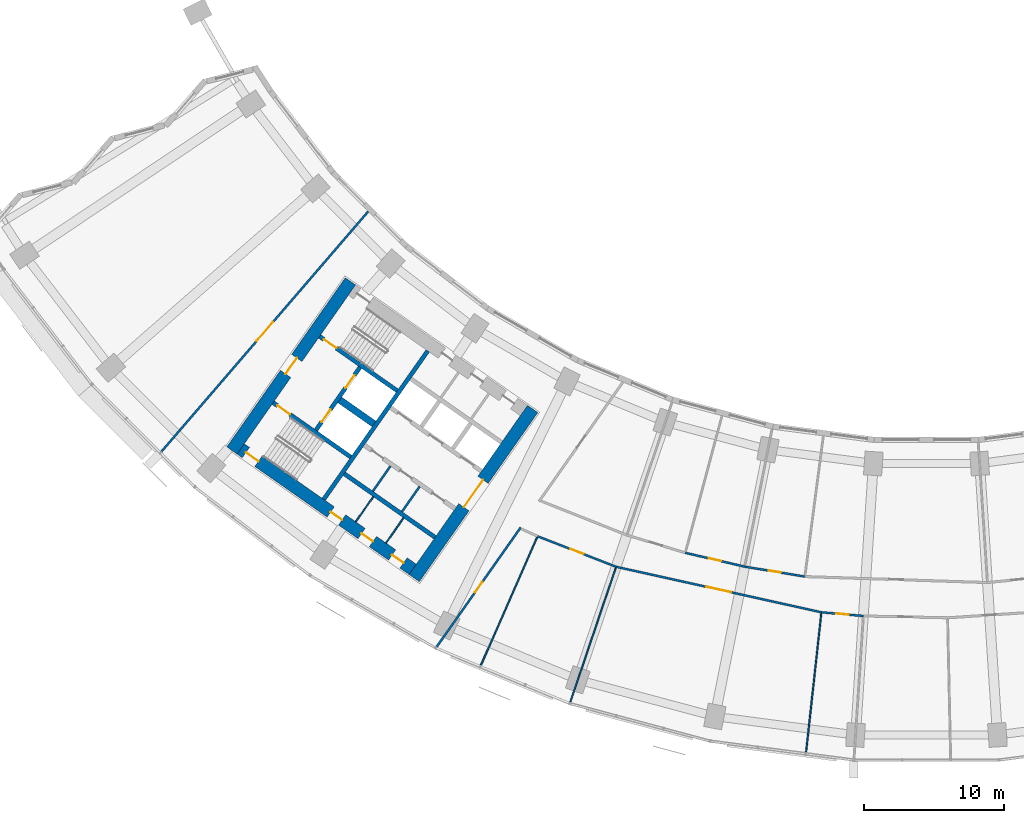
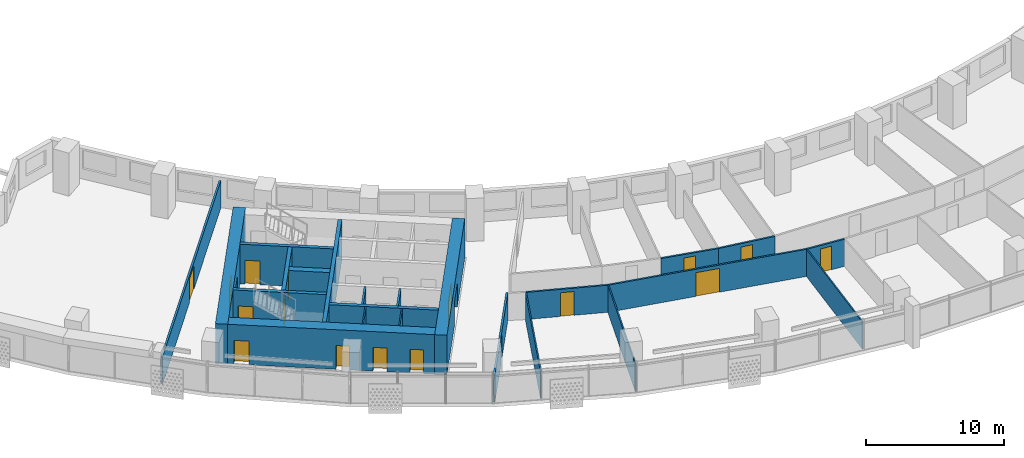
# One storey, part 3 of 30: 23 walls, 17 doors, 17 openings.
"""IFC4 building model written with IfcOpenShell, lengths in metres."""

from ifc_helpers import new_model, si_unit, direction, frame, frame_2d, origin, place, context, subcontext, project, spatial, rectangle, extrude, material, layer, layer_set, type_object, element, fill, save


model = new_model("IFC4")

# Units and contexts
model_context = context("Model", 3, precision=1e-05, world=origin(), true_north=direction((0.0, 1.0)))
body_context = subcontext(model_context, "Body", "Model", "MODEL_VIEW")
ifc_project = project(units=[si_unit("LENGTHUNIT", "METRE"), si_unit("AREAUNIT", "SQUARE_METRE"), si_unit("VOLUMEUNIT", "CUBIC_METRE"), si_unit("PLANEANGLEUNIT", "RADIAN"), si_unit("MASSUNIT", "GRAM", prefix="KILO")], contexts=[model_context])

# Site, building, storey
site_placement = place(None, origin())
site = spatial("IfcSite", under=ifc_project, at=site_placement, CompositionType="ELEMENT")
building_placement = place(site_placement, origin())
building = spatial("IfcBuilding", under=site, at=building_placement, Name="Qamariyya Broadcast Tower", CompositionType="ELEMENT")
storey_placement = place(building_placement, frame((0.0, 0.0, 67.10009765625)))
storey = spatial("IfcBuildingStorey", under=building, at=storey_placement, Name="L13", CompositionType="ELEMENT", Elevation=67.10009765625)

# Wall, opening, door
ifc_material_1 = material(Name="Concrete C70/85", Category="concrete")
ifc_layer_1 = layer(ifc_material_1, 0.89990234375)
ifc_layer_set_1 = layer_set([ifc_layer_1], Name="Core wall 900 mm Concrete C70/85")
wall_type_1 = type_object("IfcWallType", Name="Core wall 900 mm Concrete C70/85", PredefinedType="SHEAR", material=ifc_layer_set_1)
wall_1_placement = place(storey_placement, frame((-36.716796875, -66.3369140625, 0.0), z_axis=(0.0, 0.0, 1.0), x_axis=(0.573577477574, 0.819151315216, 0.0)))
wall_1 = element("IfcWall", 1, at=wall_1_placement, inside=storey, type_object=wall_type_1, Name="k-W-L13-WA", PredefinedType="SHEAR", context=body_context, shape_type="SweptSolid", body=[
    extrude(rectangle(XDim=14.800048828125, YDim=0.89990234375, at=frame_2d((7.39990234375, 0.0))), origin(), (0.0, 0.0, 1.0), 3.5),
])
opening_1_placement = place(wall_1_placement, frame((6.199951171875, 0.0, 0.0)))
opening_1 = element("IfcOpeningElement", 2, at=opening_1_placement, cuts=wall_1, Name="Opening KD3-W1", PredefinedType="OPENING", context=body_context, shape_type="SweptSolid", body=[
    extrude(rectangle(XDim=2.39990234375, YDim=2.10009765625, at=frame_2d((1.199951171875, 1.050048828125))), frame((0.0, 0.4599609375, 0.0), z_axis=(0.0, -1.0, 0.0), x_axis=(1.0, 0.0, 0.0)), (0.0, 0.0, 1.0), 0.919921875),
])
ifc_material_2 = material(Name="Steel fire-resisting door leaf", Category="steel")
door_type_1 = type_object("IfcDoorType", Name="Lift lobby door KD3", OperationType="DOUBLE_DOOR_SINGLE_SWING", PredefinedType="DOOR", material=ifc_material_2)
door_1_placement = place(opening_1_placement, origin())
door_1 = element("IfcDoor", 3, at=door_1_placement, inside=storey, type_object=door_type_1, Name="k-W-L13-WA-D1", OperationType="DOUBLE_DOOR_SINGLE_SWING", OverallHeight=2.10009765625, OverallWidth=2.39990234375, PredefinedType="DOOR", context=body_context, shape_type="SweptSolid", body=[
    extrude(rectangle(XDim=2.39990234375, YDim=2.10009765625, at=frame_2d((1.199951171875, 1.050048828125))), frame((0.0, 0.02490234375, 0.0), z_axis=(0.0, -1.0, 0.0), x_axis=(1.0, 0.0, 0.0)), (0.0, 0.0, 1.0), 0.050048828125),
])
fill(opening_1, door_1)

wall_2_placement = place(storey_placement, frame((-49.778564453125, -57.191162109375, 0.0), z_axis=(0.0, 0.0, 1.0), x_axis=(0.573577477574, 0.819151315216, 0.0)))
wall_2 = element("IfcWall", 4, at=wall_2_placement, inside=storey, type_object=wall_type_1, Name="k-W-L13-WH", PredefinedType="SHEAR", context=body_context, shape_type="SweptSolid", body=[
    extrude(rectangle(XDim=14.800048828125, YDim=0.89990234375, at=frame_2d((7.39990234375, 0.0))), origin(), (0.0, 0.0, 1.0), 3.5),
])
opening_2_placement = place(wall_2_placement, frame((6.699951171875, 0.0, 0.0)))
opening_2 = element("IfcOpeningElement", 5, at=opening_2_placement, cuts=wall_2, Name="Opening KD2-W1", PredefinedType="OPENING", context=body_context, shape_type="SweptSolid", body=[
    extrude(rectangle(XDim=1.39990234375, YDim=2.10009765625, at=frame_2d((0.699951171875, 1.050048828125))), frame((0.0, 0.4599609375, 0.0), z_axis=(0.0, -1.0, 0.0), x_axis=(1.0, 0.0, 0.0)), (0.0, 0.0, 1.0), 0.919921875),
])
door_type_2 = type_object("IfcDoorType", Name="Fire-fighting lobby door KD2", OperationType="DOUBLE_DOOR_SINGLE_SWING", PredefinedType="DOOR", material=ifc_material_2)
door_2_placement = place(opening_2_placement, origin())
door_2 = element("IfcDoor", 6, at=door_2_placement, inside=storey, type_object=door_type_2, Name="k-W-L13-WH-D16", OperationType="DOUBLE_DOOR_SINGLE_SWING", OverallHeight=2.10009765625, OverallWidth=1.39990234375, PredefinedType="DOOR", context=body_context, shape_type="SweptSolid", body=[
    extrude(rectangle(XDim=1.39990234375, YDim=2.10009765625, at=frame_2d((0.699951171875, 1.050048828125))), frame((0.0, 0.02490234375, 0.0), z_axis=(0.0, -1.0, 0.0), x_axis=(1.0, 0.0, 0.0)), (0.0, 0.0, 1.0), 0.050048828125),
])
fill(opening_2, door_2)

# Wall, openings, doors
wall_3_placement = place(storey_placement, frame((-36.827392578125, -65.710205078125, 0.0), z_axis=(0.0, 0.0, 1.0), x_axis=(-0.819153391756, 0.573574511963, 0.0)))
wall_3 = element("IfcWall", 7, at=wall_3_placement, inside=storey, type_object=wall_type_1, Name="k-W-L13-WO", PredefinedType="SHEAR", context=body_context, shape_type="SweptSolid", body=[
    extrude(rectangle(XDim=15.04541015625, YDim=0.89990234375, at=frame_2d((7.522705078125, 0.0))), origin(), (0.0, 0.0, 1.0), 3.5),
])
opening_3_placement = place(wall_3_placement, frame((0.800048828125, 0.0, 0.0)))
opening_3 = element("IfcOpeningElement", 8, at=opening_3_placement, cuts=wall_3, Name="Opening KD4-W2", PredefinedType="OPENING", context=body_context, shape_type="SweptSolid", body=[
    extrude(rectangle(XDim=1.0, YDim=2.10009765625, at=frame_2d((0.5, 1.050048828125))), frame((0.0, 0.4599609375, 0.0), z_axis=(0.0, -1.0, 0.0), x_axis=(1.0, 0.0, 0.0)), (0.0, 0.0, 1.0), 0.919921875),
])
opening_4_placement = place(wall_3_placement, frame((3.47509765625, 0.0, 0.0)))
opening_4 = element("IfcOpeningElement", 9, at=opening_4_placement, cuts=wall_3, Name="Opening KD4-W3", PredefinedType="OPENING", context=body_context, shape_type="SweptSolid", body=[
    extrude(rectangle(XDim=1.0, YDim=2.10009765625, at=frame_2d((0.5, 1.050048828125))), frame((0.0, 0.4599609375, 0.0), z_axis=(0.0, -1.0, 0.0), x_axis=(1.0, 0.0, 0.0)), (0.0, 0.0, 1.0), 0.919921875),
])
opening_5_placement = place(wall_3_placement, frame((6.175048828125, 0.0, 0.0)))
opening_5 = element("IfcOpeningElement", 10, at=opening_5_placement, cuts=wall_3, Name="Opening KD4-W4", PredefinedType="OPENING", context=body_context, shape_type="SweptSolid", body=[
    extrude(rectangle(XDim=1.0, YDim=2.10009765625, at=frame_2d((0.5, 1.050048828125))), frame((0.0, 0.4599609375, 0.0), z_axis=(0.0, -1.0, 0.0), x_axis=(1.0, 0.0, 0.0)), (0.0, 0.0, 1.0), 0.919921875),
])
opening_6_placement = place(wall_3_placement, frame((13.495361328125, 0.0, 0.0)))
opening_6 = element("IfcOpeningElement", 11, at=opening_6_placement, cuts=wall_3, Name="Opening KD1-W3", PredefinedType="OPENING", context=body_context, shape_type="SweptSolid", body=[
    extrude(rectangle(XDim=1.10009765625, YDim=2.10009765625, at=frame_2d((0.550048828125, 1.050048828125))), frame((0.0, 0.4599609375, 0.0), z_axis=(0.0, -1.0, 0.0), x_axis=(1.0, 0.0, 0.0)), (0.0, 0.0, 1.0), 0.919921875),
])
door_type_3 = type_object("IfcDoorType", Name="Riser and plant door KD4", OperationType="SINGLE_SWING_LEFT", PredefinedType="DOOR", material=ifc_material_2)
door_3_placement = place(opening_3_placement, origin())
door_3 = element("IfcDoor", 12, at=door_3_placement, inside=storey, type_object=door_type_3, Name="k-W-L13-WO-D11", OperationType="SINGLE_SWING_RIGHT", OverallHeight=2.10009765625, OverallWidth=1.0, PredefinedType="DOOR", context=body_context, shape_type="SweptSolid", body=[
    extrude(rectangle(XDim=1.0, YDim=2.10009765625, at=frame_2d((0.5, 1.050048828125))), frame((0.0, 0.02490234375, 0.0), z_axis=(0.0, -1.0, 0.0), x_axis=(1.0, 0.0, 0.0)), (0.0, 0.0, 1.0), 0.050048828125),
])
fill(opening_3, door_3)
door_4_placement = place(opening_4_placement, origin())
door_4 = element("IfcDoor", 13, at=door_4_placement, inside=storey, type_object=door_type_3, Name="k-W-L13-WO-D12", OperationType="SINGLE_SWING_LEFT", OverallHeight=2.10009765625, OverallWidth=1.0, PredefinedType="DOOR", context=body_context, shape_type="SweptSolid", body=[
    extrude(rectangle(XDim=1.0, YDim=2.10009765625, at=frame_2d((0.5, 1.050048828125))), frame((0.0, 0.02490234375, 0.0), z_axis=(0.0, -1.0, 0.0), x_axis=(1.0, 0.0, 0.0)), (0.0, 0.0, 1.0), 0.050048828125),
])
fill(opening_4, door_4)
door_5_placement = place(opening_5_placement, origin())
door_5 = element("IfcDoor", 14, at=door_5_placement, inside=storey, type_object=door_type_3, Name="k-W-L13-WO-D13", OperationType="SINGLE_SWING_RIGHT", OverallHeight=2.10009765625, OverallWidth=1.0, PredefinedType="DOOR", context=body_context, shape_type="SweptSolid", body=[
    extrude(rectangle(XDim=1.0, YDim=2.10009765625, at=frame_2d((0.5, 1.050048828125))), frame((0.0, 0.02490234375, 0.0), z_axis=(0.0, -1.0, 0.0), x_axis=(1.0, 0.0, 0.0)), (0.0, 0.0, 1.0), 0.050048828125),
])
fill(opening_5, door_5)
door_type_4 = type_object("IfcDoorType", Name="Stair door KD1", OperationType="SINGLE_SWING_LEFT", PredefinedType="DOOR", material=ifc_material_2)
door_6_placement = place(opening_6_placement, origin())
door_6 = element("IfcDoor", 15, at=door_6_placement, inside=storey, type_object=door_type_4, Name="k-W-L13-WO-D19", OperationType="SINGLE_SWING_LEFT", OverallHeight=2.10009765625, OverallWidth=1.10009765625, PredefinedType="DOOR", context=body_context, shape_type="SweptSolid", body=[
    extrude(rectangle(XDim=1.10009765625, YDim=2.10009765625, at=frame_2d((0.550048828125, 1.050048828125))), frame((0.0, 0.02490234375, 0.0), z_axis=(0.0, -1.0, 0.0), x_axis=(1.0, 0.0, 0.0)), (0.0, 0.0, 1.0), 0.050048828125),
])
fill(opening_6, door_6)

# Wall, opening, door
ifc_material_3 = material(Name="Gypsum board partition")
ifc_layer_2 = layer(ifc_material_3, 0.14990234375)
ifc_layer_set_2 = layer_set([ifc_layer_2], Name="Corridor partition 150 EI 60")
wall_type_2 = type_object("IfcWallType", Name="Corridor partition 150 EI 60", PredefinedType="PARTITIONING", material=ifc_layer_set_2)
wall_4_placement = place(storey_placement, frame((-54.842041015625, -57.27685546875, 0.0), z_axis=(0.0, 0.0, 1.0), x_axis=(0.652471531746, 0.757813235739, 0.0)))
wall_4 = element("IfcWall", 16, at=wall_4_placement, inside=storey, type_object=wall_type_2, Name="Partition L13-001", PredefinedType="PARTITIONING", context=body_context, shape_type="SweptSolid", body=[
    extrude(rectangle(XDim=22.71484375, YDim=0.14990234375, at=frame_2d((11.357421875, 0.0))), origin(), (0.0, 0.0, 1.0), 2.39990234375),
])
opening_7_placement = place(wall_4_placement, frame((10.45751953125, 0.0, 0.0)))
opening_7 = element("IfcOpeningElement", 17, at=opening_7_placement, cuts=wall_4, Name="Opening L13-D15", PredefinedType="OPENING", context=body_context, shape_type="SweptSolid", body=[
    extrude(rectangle(XDim=1.800048828125, YDim=2.10009765625, at=frame_2d((0.89990234375, 1.050048828125))), frame((0.0, 0.0849609375, 0.0), z_axis=(0.0, -1.0, 0.0), x_axis=(1.0, 0.0, 0.0)), (0.0, 0.0, 1.0), 0.169921875),
])
ifc_material_4 = material(Name="Timber fire door leaf", Category="wood")
door_type_5 = type_object("IfcDoorType", Name="Double fire door 1800 x 2100 FD60", OperationType="NOTDEFINED", PredefinedType="DOOR", material=ifc_material_4)
door_7_placement = place(opening_7_placement, origin())
door_7 = element("IfcDoor", 18, at=door_7_placement, inside=storey, type_object=door_type_5, Name="Door L13-D15", OperationType="DOUBLE_DOOR_SINGLE_SWING", OverallHeight=2.10009765625, OverallWidth=1.800048828125, PredefinedType="DOOR", context=body_context, shape_type="SweptSolid", body=[
    extrude(rectangle(XDim=1.800048828125, YDim=2.10009765625, at=frame_2d((0.89990234375, 1.050048828125))), frame((0.0, 0.02490234375, 0.0), z_axis=(0.0, -1.0, 0.0), x_axis=(1.0, 0.0, 0.0)), (0.0, 0.0, 1.0), 0.050048828125),
])
fill(opening_7, door_7)

wall_5_placement = place(storey_placement, frame((-29.087890625, -62.708251953125, 0.0), z_axis=(0.0, 0.0, 1.0), x_axis=(-0.575411972256, -0.817863718589, 0.0)))
wall_5 = element("IfcWall", 19, at=wall_5_placement, inside=storey, type_object=wall_type_2, Name="Partition L13-003", PredefinedType="PARTITIONING", context=body_context, shape_type="SweptSolid", body=[
    extrude(rectangle(XDim=10.471435546875, YDim=0.14990234375, at=frame_2d((5.23583984375, 0.0))), origin(), (0.0, 0.0, 1.0), 2.39990234375),
])
opening_8_placement = place(wall_5_placement, frame((4.78564453125, 0.0, 0.0)))
opening_8 = element("IfcOpeningElement", 20, at=opening_8_placement, cuts=wall_5, Name="Opening L13-D01", PredefinedType="OPENING", context=body_context, shape_type="SweptSolid", body=[
    extrude(rectangle(XDim=0.89990234375, YDim=2.10009765625, at=frame_2d((0.449951171875, 1.050048828125))), frame((0.0, 0.0849609375, 0.0), z_axis=(0.0, -1.0, 0.0), x_axis=(1.0, 0.0, 0.0)), (0.0, 0.0, 1.0), 0.169921875),
])
door_type_6 = type_object("IfcDoorType", Name="Fire door 900 x 2100 FD60", OperationType="NOTDEFINED", PredefinedType="DOOR", material=ifc_material_4)
door_8_placement = place(opening_8_placement, origin())
door_8 = element("IfcDoor", 21, at=door_8_placement, inside=storey, type_object=door_type_6, Name="Door L13-D01", OperationType="SINGLE_SWING_RIGHT", OverallHeight=2.10009765625, OverallWidth=0.89990234375, PredefinedType="DOOR", context=body_context, shape_type="SweptSolid", body=[
    extrude(rectangle(XDim=0.89990234375, YDim=2.10009765625, at=frame_2d((0.449951171875, 1.050048828125))), frame((0.0, 0.02490234375, 0.0), z_axis=(0.0, -1.0, 0.0), x_axis=(1.0, 0.0, 0.0)), (0.0, 0.0, 1.0), 0.050048828125),
])
fill(opening_8, door_8)

wall_6_placement = place(storey_placement, frame((-22.24365234375, -65.527587890625, 0.0), z_axis=(0.0, 0.0, 1.0), x_axis=(-0.932005430257, 0.362444310166, 0.0)))
wall_6 = element("IfcWall", 22, at=wall_6_placement, inside=storey, type_object=wall_type_2, Name="Partition L13-005", PredefinedType="PARTITIONING", context=body_context, shape_type="SweptSolid", body=[
    extrude(rectangle(XDim=6.038818359375, YDim=0.14990234375, at=frame_2d((3.01953125, 0.0))), origin(), (0.0, 0.0, 1.0), 2.39990234375),
])
opening_9_placement = place(wall_6_placement, frame((2.51953125, 0.0, 0.0)))
opening_9 = element("IfcOpeningElement", 23, at=opening_9_placement, cuts=wall_6, Name="Opening L13-D02", PredefinedType="OPENING", context=body_context, shape_type="SweptSolid", body=[
    extrude(rectangle(XDim=1.0, YDim=2.10009765625, at=frame_2d((0.5, 1.050048828125))), frame((0.0, 0.0849609375, 0.0), z_axis=(0.0, -1.0, 0.0), x_axis=(1.0, 0.0, 0.0)), (0.0, 0.0, 1.0), 0.169921875),
])
door_type_7 = type_object("IfcDoorType", Name="Fire door 1000 x 2100 FD60", OperationType="NOTDEFINED", PredefinedType="DOOR", material=ifc_material_4)
door_9_placement = place(opening_9_placement, origin())
door_9 = element("IfcDoor", 24, at=door_9_placement, inside=storey, type_object=door_type_7, Name="Door L13-D02", OperationType="SINGLE_SWING_RIGHT", OverallHeight=2.10009765625, OverallWidth=1.0, PredefinedType="DOOR", context=body_context, shape_type="SweptSolid", body=[
    extrude(rectangle(XDim=1.0, YDim=2.10009765625, at=frame_2d((0.5, 1.050048828125))), frame((0.0, 0.02490234375, 0.0), z_axis=(0.0, -1.0, 0.0), x_axis=(1.0, 0.0, 0.0)), (0.0, 0.0, 1.0), 0.050048828125),
])
fill(opening_9, door_9)

wall_7_placement = place(storey_placement, frame((-7.53173828125, -68.788818359375, 0.0), z_axis=(0.0, 0.0, 1.0), x_axis=(-0.976300527221, 0.216419224073, 0.0)))
wall_7 = element("IfcWall", 25, at=wall_7_placement, inside=storey, type_object=wall_type_2, Name="Partition L13-008", PredefinedType="PARTITIONING", context=body_context, shape_type="SweptSolid", body=[
    extrude(rectangle(XDim=15.069091796875, YDim=0.14990234375, at=frame_2d((7.53466796875, 0.0))), origin(), (0.0, 0.0, 1.0), 2.39990234375),
])
opening_10_placement = place(wall_7_placement, frame((6.634521484375, 0.0, 0.0)))
opening_10 = element("IfcOpeningElement", 26, at=opening_10_placement, cuts=wall_7, Name="Opening L13-D03", PredefinedType="OPENING", context=body_context, shape_type="SweptSolid", body=[
    extrude(rectangle(XDim=1.800048828125, YDim=2.10009765625, at=frame_2d((0.89990234375, 1.050048828125))), frame((0.0, 0.0849609375, 0.0), z_axis=(0.0, -1.0, 0.0), x_axis=(1.0, 0.0, 0.0)), (0.0, 0.0, 1.0), 0.169921875),
])
door_10_placement = place(opening_10_placement, origin())
door_10 = element("IfcDoor", 27, at=door_10_placement, inside=storey, type_object=door_type_5, Name="Door L13-D03", OperationType="DOUBLE_DOOR_SINGLE_SWING", OverallHeight=2.10009765625, OverallWidth=1.800048828125, PredefinedType="DOOR", context=body_context, shape_type="SweptSolid", body=[
    extrude(rectangle(XDim=1.800048828125, YDim=2.10009765625, at=frame_2d((0.89990234375, 1.050048828125))), frame((0.0, 0.02490234375, 0.0), z_axis=(0.0, -1.0, 0.0), x_axis=(1.0, 0.0, 0.0)), (0.0, 0.0, 1.0), 0.050048828125),
])
fill(opening_10, door_10)

wall_8_placement = place(storey_placement, frame((-17.2890625, -64.52392578125, 0.0), z_axis=(0.0, 0.0, 1.0), x_axis=(0.973886095728, -0.227037161159, 0.0)))
wall_8 = element("IfcWall", 28, at=wall_8_placement, inside=storey, type_object=wall_type_2, Name="Partition L13-012", PredefinedType="PARTITIONING", context=body_context, shape_type="SweptSolid", body=[
    extrude(rectangle(XDim=4.371337890625, YDim=0.14990234375, at=frame_2d((2.185546875, 0.0))), origin(), (0.0, 0.0, 1.0), 2.39990234375),
])
opening_11_placement = place(wall_8_placement, frame((1.735595703125, 0.0, 0.0)))
opening_11 = element("IfcOpeningElement", 29, at=opening_11_placement, cuts=wall_8, Name="Opening L13-D10", PredefinedType="OPENING", context=body_context, shape_type="SweptSolid", body=[
    extrude(rectangle(XDim=0.89990234375, YDim=2.10009765625, at=frame_2d((0.449951171875, 1.050048828125))), frame((0.0, 0.0849609375, 0.0), z_axis=(0.0, -1.0, 0.0), x_axis=(1.0, 0.0, 0.0)), (0.0, 0.0, 1.0), 0.169921875),
])
door_11_placement = place(opening_11_placement, origin())
door_11 = element("IfcDoor", 30, at=door_11_placement, inside=storey, type_object=door_type_6, Name="Door L13-D10", OperationType="SINGLE_SWING_RIGHT", OverallHeight=2.10009765625, OverallWidth=0.89990234375, PredefinedType="DOOR", context=body_context, shape_type="SweptSolid", body=[
    extrude(rectangle(XDim=0.89990234375, YDim=2.10009765625, at=frame_2d((0.449951171875, 1.050048828125))), frame((0.0, 0.02490234375, 0.0), z_axis=(0.0, -1.0, 0.0), x_axis=(1.0, 0.0, 0.0)), (0.0, 0.0, 1.0), 0.050048828125),
])
fill(opening_11, door_11)

wall_9_placement = place(storey_placement, frame((-13.031982421875, -65.516357421875, 0.0), z_axis=(0.0, 0.0, 1.0), x_axis=(0.986638873051, -0.162922479065, 0.0)))
wall_9 = element("IfcWall", 31, at=wall_9_placement, inside=storey, type_object=wall_type_2, Name="Partition L13-014", PredefinedType="PARTITIONING", context=body_context, shape_type="SweptSolid", body=[
    extrude(rectangle(XDim=4.37109375, YDim=0.14990234375, at=frame_2d((2.185546875, 0.0))), origin(), (0.0, 0.0, 1.0), 2.39990234375),
])
opening_12_placement = place(wall_9_placement, frame((1.735595703125, 0.0, 0.0)))
opening_12 = element("IfcOpeningElement", 32, at=opening_12_placement, cuts=wall_9, Name="Opening L13-D11", PredefinedType="OPENING", context=body_context, shape_type="SweptSolid", body=[
    extrude(rectangle(XDim=0.89990234375, YDim=2.10009765625, at=frame_2d((0.449951171875, 1.050048828125))), frame((0.0, 0.0849609375, 0.0), z_axis=(0.0, -1.0, 0.0), x_axis=(1.0, 0.0, 0.0)), (0.0, 0.0, 1.0), 0.169921875),
])
door_12_placement = place(opening_12_placement, origin())
door_12 = element("IfcDoor", 33, at=door_12_placement, inside=storey, type_object=door_type_6, Name="Door L13-D11", OperationType="SINGLE_SWING_RIGHT", OverallHeight=2.10009765625, OverallWidth=0.89990234375, PredefinedType="DOOR", context=body_context, shape_type="SweptSolid", body=[
    extrude(rectangle(XDim=0.89990234375, YDim=2.10009765625, at=frame_2d((0.449951171875, 1.050048828125))), frame((0.0, 0.02490234375, 0.0), z_axis=(0.0, -1.0, 0.0), x_axis=(1.0, 0.0, 0.0)), (0.0, 0.0, 1.0), 0.050048828125),
])
fill(opening_12, door_12)

wall_10_placement = place(storey_placement, frame((-4.52587890625, -69.0517578125, 0.0), z_axis=(0.0, 0.0, 1.0), x_axis=(-0.996195825022, 0.087142860912, 0.0)))
wall_10 = element("IfcWall", 34, at=wall_10_placement, inside=storey, type_object=wall_type_2, Name="Partition L13-018", PredefinedType="PARTITIONING", context=body_context, shape_type="SweptSolid", body=[
    extrude(rectangle(XDim=3.017333984375, YDim=0.14990234375, at=frame_2d((1.5087890625, 0.0))), origin(), (0.0, 0.0, 1.0), 2.39990234375),
])
opening_13_placement = place(wall_10_placement, frame((1.05859375, 0.0, 0.0)))
opening_13 = element("IfcOpeningElement", 35, at=opening_13_placement, cuts=wall_10, Name="Opening L13-D04", PredefinedType="OPENING", context=body_context, shape_type="SweptSolid", body=[
    extrude(rectangle(XDim=0.89990234375, YDim=2.10009765625, at=frame_2d((0.449951171875, 1.050048828125))), frame((0.0, 0.0849609375, 0.0), z_axis=(0.0, -1.0, 0.0), x_axis=(1.0, 0.0, 0.0)), (0.0, 0.0, 1.0), 0.169921875),
])
door_13_placement = place(opening_13_placement, origin())
door_13 = element("IfcDoor", 36, at=door_13_placement, inside=storey, type_object=door_type_6, Name="Door L13-D04", OperationType="SINGLE_SWING_RIGHT", OverallHeight=2.10009765625, OverallWidth=0.89990234375, PredefinedType="DOOR", context=body_context, shape_type="SweptSolid", body=[
    extrude(rectangle(XDim=0.89990234375, YDim=2.10009765625, at=frame_2d((0.449951171875, 1.050048828125))), frame((0.0, 0.02490234375, 0.0), z_axis=(0.0, -1.0, 0.0), x_axis=(1.0, 0.0, 0.0)), (0.0, 0.0, 1.0), 0.050048828125),
])
fill(opening_13, door_13)

# Walls
ifc_material_5 = material(Name="Concrete C60/75", Category="concrete")
ifc_layer_3 = layer(ifc_material_5, 0.5)
ifc_layer_set_3 = layer_set([ifc_layer_3], Name="Fire-fighting lobby divider wall 500 mm Concrete C60/75")
wall_type_3 = type_object("IfcWallType", Name="Fire-fighting lobby divider wall 500 mm Concrete C60/75", PredefinedType="SOLIDWALL", material=ifc_layer_set_3)
wall_11_placement = place(storey_placement, frame((-39.59912109375, -55.28515625, 0.0), z_axis=(0.0, 0.0, 1.0), x_axis=(-0.819136323161, 0.573598887793, 0.0)))
element("IfcWall", 37, at=wall_11_placement, inside=storey, type_object=wall_type_3, Name="k-W-L13-FD", PredefinedType="SOLIDWALL", context=body_context, shape_type="SweptSolid", body=[
    extrude(rectangle(XDim=2.999755859375, YDim=0.5, at=frame_2d((1.5, 0.0))), origin(), (0.0, 0.0, 1.0), 3.5),
])
ifc_material_6 = material(Name="Gypsum board partition on steel studs", Category="steel")
ifc_layer_4 = layer(ifc_material_6, 0.14990234375)
ifc_layer_set_4 = layer_set([ifc_layer_4], Name="Gypsum board partition 150 mm")
wall_type_4 = type_object("IfcWallType", Name="Gypsum board partition 150 mm", PredefinedType="PARTITIONING", material=ifc_layer_set_4)
for number, where, z_axis, x_axis, name in (
    (38, (-36.330810546875, -59.77099609375, 0.0), (0.0, 0.0, 1.0), (-0.573633636671, -0.819111989218, 0.0), "k-W-L13-SC300"),
    (39, (-38.419677734375, -58.308349609375, 0.0), (0.0, 0.0, 1.0), (-0.573633636671, -0.819111989218, 0.0), "k-W-L13-SC555"),
):
    element("IfcWall", number, at=place(storey_placement, frame(where, z_axis=z_axis, x_axis=x_axis)), inside=storey, type_object=wall_type_4, Name=name, PredefinedType="PARTITIONING", context=body_context, shape_type="SweptSolid", body=[
        extrude(rectangle(XDim=2.199951171875, YDim=0.14990234375, at=frame_2d((1.10009765625, 0.0))), origin(), (0.0, 0.0, 1.0), 3.5),
    ])
ifc_layer_5 = layer(ifc_material_5, 0.300048828125)
ifc_layer_set_5 = layer_set([ifc_layer_5], Name="Lift shaft wall 300 mm Concrete C60/75")
wall_type_5 = type_object("IfcWallType", Name="Lift shaft wall 300 mm Concrete C60/75", PredefinedType="SOLIDWALL", material=ifc_layer_set_5)
wall_12_placement = place(storey_placement, frame((-43.204345703125, -60.69580078125, 0.0), z_axis=(0.0, 0.0, 1.0), x_axis=(0.573571992966, 0.819155155563, 0.0)))
element("IfcWall", 40, at=wall_12_placement, inside=storey, type_object=wall_type_5, Name="k-W-L13-WL", PredefinedType="SOLIDWALL", context=body_context, shape_type="SweptSolid", body=[
    extrude(rectangle(XDim=13.000244140625, YDim=0.300048828125, at=frame_2d((6.5, 0.0))), origin(), (0.0, 0.0, 1.0), 3.5),
])
wall_13_placement = place(storey_placement, frame((-35.22119140625, -63.41650390625, 0.0), z_axis=(0.0, 0.0, 1.0), x_axis=(-0.819166993208, 0.573555086491, 0.0)))
element("IfcWall", 41, at=wall_13_placement, inside=storey, type_object=wall_type_5, Name="k-W-L13-SB0", PredefinedType="SOLIDWALL", context=body_context, shape_type="SweptSolid", body=[
    extrude(rectangle(XDim=7.9501953125, YDim=0.300048828125, at=frame_2d((3.97509765625, 0.0))), origin(), (0.0, 0.0, 1.0), 3.5),
])

# Wall, opening, door
wall_14_placement = place(storey_placement, frame((-37.935546875, -52.90966796875, 0.0), z_axis=(0.0, 0.0, 1.0), x_axis=(-0.819147518138, 0.57358290031, 0.0)))
wall_14 = element("IfcWall", 42, at=wall_14_placement, inside=storey, type_object=wall_type_5, Name="k-W-L13-NW", PredefinedType="SOLIDWALL", context=body_context, shape_type="SweptSolid", body=[
    extrude(rectangle(XDim=6.79541015625, YDim=0.300048828125, at=frame_2d((3.397705078125, 0.0))), origin(), (0.0, 0.0, 1.0), 3.5),
])
opening_14_placement = place(wall_14_placement, frame((5.3203125, 0.0, 0.0)))
opening_14 = element("IfcOpeningElement", 43, at=opening_14_placement, cuts=wall_14, Name="Opening KD1-W2", PredefinedType="OPENING", context=body_context, shape_type="SweptSolid", body=[
    extrude(rectangle(XDim=1.10009765625, YDim=2.10009765625, at=frame_2d((0.550048828125, 1.050048828125))), frame((0.0, 0.159912109375, 0.0), z_axis=(0.0, -1.0, 0.0), x_axis=(1.0, 0.0, 0.0)), (0.0, 0.0, 1.0), 0.320068359375),
])
door_14_placement = place(opening_14_placement, origin())
door_14 = element("IfcDoor", 44, at=door_14_placement, inside=storey, type_object=door_type_4, Name="k-W-L13-NW-D18", OperationType="SINGLE_SWING_LEFT", OverallHeight=2.10009765625, OverallWidth=1.10009765625, PredefinedType="DOOR", context=body_context, shape_type="SweptSolid", body=[
    extrude(rectangle(XDim=1.10009765625, YDim=2.10009765625, at=frame_2d((0.550048828125, 1.050048828125))), frame((0.0, 0.02490234375, 0.0), z_axis=(0.0, -1.0, 0.0), x_axis=(1.0, 0.0, 0.0)), (0.0, 0.0, 1.0), 0.050048828125),
])
fill(opening_14, door_14)

wall_15_placement = place(storey_placement, frame((-41.262451171875, -57.66064453125, 0.0), z_axis=(0.0, 0.0, 1.0), x_axis=(-0.819164398642, 0.573558792102, 0.0)))
wall_15 = element("IfcWall", 45, at=wall_15_placement, inside=storey, type_object=wall_type_5, Name="k-W-L13-SW", PredefinedType="SOLIDWALL", context=body_context, shape_type="SweptSolid", body=[
    extrude(rectangle(XDim=6.795166015625, YDim=0.300048828125, at=frame_2d((3.3974609375, 0.0))), origin(), (0.0, 0.0, 1.0), 3.5),
])
opening_15_placement = place(wall_15_placement, frame((5.3203125, 0.0, 0.0)))
opening_15 = element("IfcOpeningElement", 46, at=opening_15_placement, cuts=wall_15, Name="Opening KD1-W4", PredefinedType="OPENING", context=body_context, shape_type="SweptSolid", body=[
    extrude(rectangle(XDim=1.10009765625, YDim=2.10009765625, at=frame_2d((0.550048828125, 1.050048828125))), frame((0.0, 0.159912109375, 0.0), z_axis=(0.0, -1.0, 0.0), x_axis=(1.0, 0.0, 0.0)), (0.0, 0.0, 1.0), 0.320068359375),
])
door_15_placement = place(opening_15_placement, origin())
door_15 = element("IfcDoor", 47, at=door_15_placement, inside=storey, type_object=door_type_4, Name="k-W-L13-SW-D20", OperationType="SINGLE_SWING_LEFT", OverallHeight=2.10009765625, OverallWidth=1.10009765625, PredefinedType="DOOR", context=body_context, shape_type="SweptSolid", body=[
    extrude(rectangle(XDim=1.10009765625, YDim=2.10009765625, at=frame_2d((0.550048828125, 1.050048828125))), frame((0.0, 0.02490234375, 0.0), z_axis=(0.0, -1.0, 0.0), x_axis=(1.0, 0.0, 0.0)), (0.0, 0.0, 1.0), 0.050048828125),
])
fill(opening_15, door_15)

# Wall, openings, doors
wall_16_placement = place(storey_placement, frame((-43.756591796875, -55.731201171875, 0.0), z_axis=(0.0, 0.0, 1.0), x_axis=(0.573536818435, 0.819179783625, 0.0)))
wall_16 = element("IfcWall", 48, at=wall_16_placement, inside=storey, type_object=wall_type_5, Name="k-W-L13-FF", PredefinedType="SOLIDWALL", context=body_context, shape_type="SweptSolid", body=[
    extrude(rectangle(XDim=5.500244140625, YDim=0.300048828125, at=frame_2d((2.75, 0.0))), origin(), (0.0, 0.0, 1.0), 3.5),
])
opening_16_placement = place(wall_16_placement, frame((0.699951171875, 0.0, 0.0)))
opening_16 = element("IfcOpeningElement", 49, at=opening_16_placement, cuts=wall_16, Name="Opening LD", PredefinedType="OPENING", context=body_context, shape_type="SweptSolid", body=[
    extrude(rectangle(XDim=1.10009765625, YDim=2.10009765625, at=frame_2d((0.550048828125, 1.050048828125))), frame((0.0, 0.159912109375, 0.0), z_axis=(0.0, -1.0, 0.0), x_axis=(1.0, 0.0, 0.0)), (0.0, 0.0, 1.0), 0.320068359375),
])
opening_17_placement = place(wall_16_placement, frame((3.699951171875, 0.0, 0.0)))
opening_17 = element("IfcOpeningElement", 50, at=opening_17_placement, cuts=wall_16, Name="Opening LD", PredefinedType="OPENING", context=body_context, shape_type="SweptSolid", body=[
    extrude(rectangle(XDim=1.10009765625, YDim=2.10009765625, at=frame_2d((0.550048828125, 1.050048828125))), frame((0.0, 0.159912109375, 0.0), z_axis=(0.0, -1.0, 0.0), x_axis=(1.0, 0.0, 0.0)), (0.0, 0.0, 1.0), 0.320068359375),
])
door_type_8 = type_object("IfcDoorType", Name="Lift landing door LD", OperationType="DOUBLE_DOOR_SLIDING", PredefinedType="DOOR", material=ifc_material_2)
door_16_placement = place(opening_16_placement, origin())
door_16 = element("IfcDoor", 51, at=door_16_placement, inside=storey, type_object=door_type_8, Name="k-W-L13-FF-D14", OperationType="DOUBLE_DOOR_SLIDING", OverallHeight=2.10009765625, OverallWidth=1.10009765625, PredefinedType="DOOR", context=body_context, shape_type="SweptSolid", body=[
    extrude(rectangle(XDim=1.10009765625, YDim=2.10009765625, at=frame_2d((0.550048828125, 1.050048828125))), frame((0.0, 0.02490234375, 0.0), z_axis=(0.0, -1.0, 0.0), x_axis=(1.0, 0.0, 0.0)), (0.0, 0.0, 1.0), 0.050048828125),
])
fill(opening_16, door_16)
door_17_placement = place(opening_17_placement, origin())
door_17 = element("IfcDoor", 52, at=door_17_placement, inside=storey, type_object=door_type_8, Name="k-W-L13-FF-D15", OperationType="DOUBLE_DOOR_SLIDING", OverallHeight=2.10009765625, OverallWidth=1.10009765625, PredefinedType="DOOR", context=body_context, shape_type="SweptSolid", body=[
    extrude(rectangle(XDim=1.10009765625, YDim=2.10009765625, at=frame_2d((0.550048828125, 1.050048828125))), frame((0.0, 0.02490234375, 0.0), z_axis=(0.0, -1.0, 0.0), x_axis=(1.0, 0.0, 0.0)), (0.0, 0.0, 1.0), 0.050048828125),
])
fill(opening_17, door_17)

# Walls
ifc_layer_6 = layer(ifc_material_3, 0.10009765625)
ifc_layer_set_6 = layer_set([ifc_layer_6], Name="Partition 100")
wall_type_6 = type_object("IfcWallType", Name="Partition 100", PredefinedType="PARTITIONING", material=ifc_layer_set_6)
wall_17_placement = place(storey_placement, frame((-31.939208984375, -72.581787109375, 0.0), z_axis=(0.0, 0.0, 1.0), x_axis=(0.402772897096, 0.915299947211, 0.0)))
element("IfcWall", 53, at=wall_17_placement, inside=storey, type_object=wall_type_6, Name="Partition L13-002", PredefinedType="PARTITIONING", context=body_context, shape_type="SweptSolid", body=[
    extrude(rectangle(XDim=10.023193359375, YDim=0.10009765625, at=frame_2d((5.01171875, 0.0))), origin(), (0.0, 0.0, 1.0), 2.39990234375),
])
wall_18_placement = place(storey_placement, frame((-25.538330078125, -75.233642578125, 0.0), z_axis=(0.0, 0.0, 1.0), x_axis=(0.32142736677, 0.946934236308, 0.0)))
element("IfcWall", 54, at=wall_18_placement, inside=storey, type_object=wall_type_6, Name="Partition L13-007", PredefinedType="PARTITIONING", context=body_context, shape_type="SweptSolid", body=[
    extrude(rectangle(XDim=10.175048828125, YDim=0.10009765625, at=frame_2d((5.08740234375, 0.0))), origin(), (0.0, 0.0, 1.0), 2.39990234375),
])
wall_19_placement = place(storey_placement, frame((-8.630859375, -78.827392578125, 0.0), z_axis=(0.0, 0.0, 1.0), x_axis=(0.108851448718, 0.994058027538, 0.0)))
element("IfcWall", 55, at=wall_19_placement, inside=storey, type_object=wall_type_6, Name="Partition L13-017", PredefinedType="PARTITIONING", context=body_context, shape_type="SweptSolid", body=[
    extrude(rectangle(XDim=10.0234375, YDim=0.10009765625, at=frame_2d((5.01171875, 0.0))), origin(), (0.0, 0.0, 1.0), 2.39990234375),
])
ifc_material_7 = material(Name="Fire-rated gypsum shaft liner on steel studs", Category="steel")
ifc_layer_7 = layer(ifc_material_7, 0.10009765625)
ifc_layer_set_7 = layer_set([ifc_layer_7], Name="Riser wall 100 mm")
wall_type_7 = type_object("IfcWallType", Name="Riser wall 100 mm", PredefinedType="PLUMBINGWALL", material=ifc_layer_set_7)
wall_20_placement = place(storey_placement, frame((-37.47802734375, -62.01953125, 0.0), z_axis=(0.0, 0.0, 1.0), x_axis=(-0.573581496053, -0.819148501424, 0.0)))
element("IfcWall", 56, at=wall_20_placement, inside=storey, type_object=wall_type_7, Name="k-W-L13-SP265", PredefinedType="PLUMBINGWALL", context=body_context, shape_type="SweptSolid", body=[
    extrude(rectangle(XDim=2.2001953125, YDim=0.10009765625, at=frame_2d((1.10009765625, 0.0))), origin(), (0.0, 0.0, 1.0), 3.5),
])
wall_21_placement = place(storey_placement, frame((-39.64892578125, -60.49951171875, 0.0), z_axis=(0.0, 0.0, 1.0), x_axis=(-0.573507030513, -0.819200638399, 0.0)))
element("IfcWall", 57, at=wall_21_placement, inside=storey, type_object=wall_type_7, Name="k-W-L13-SP530", PredefinedType="PLUMBINGWALL", context=body_context, shape_type="SweptSolid", body=[
    extrude(rectangle(XDim=2.199951171875, YDim=0.10009765625, at=frame_2d((1.10009765625, 0.0))), origin(), (0.0, 0.0, 1.0), 3.5),
])

save(model, "model.ifc")
